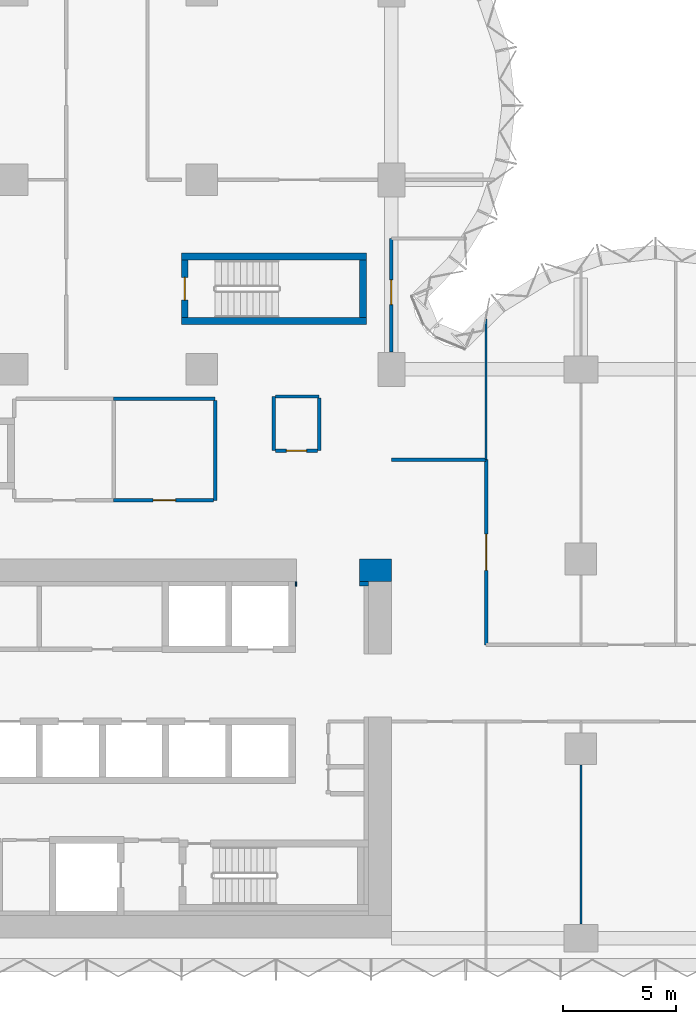
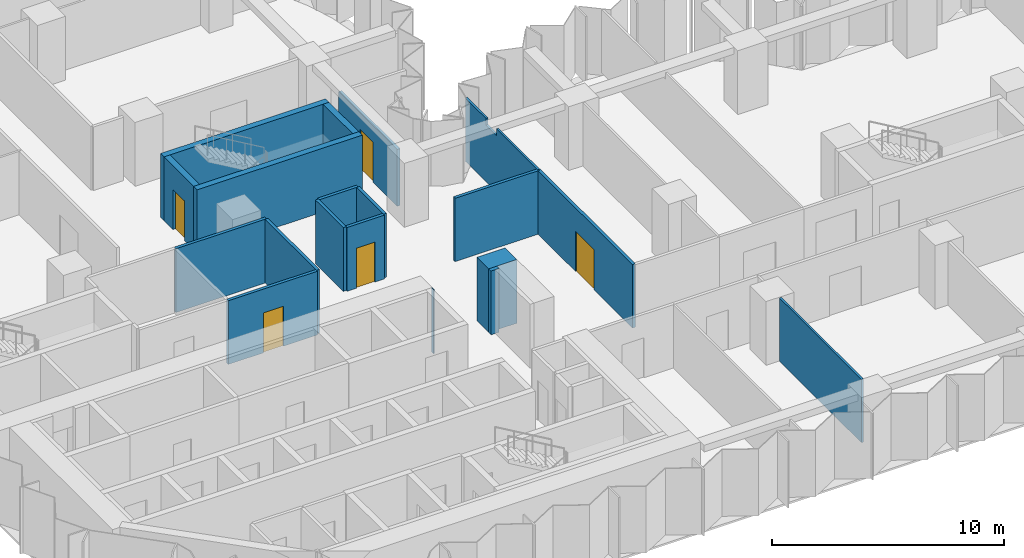
# One storey, part 9 of 15: 19 walls, 5 doors, 5 openings.
"""IFC4 building model written with IfcOpenShell, lengths in metres."""

from ifc_helpers import new_model, si_unit, direction, frame, frame_2d, origin, place, context, subcontext, project, spatial, polyline, rectangle, outline, extrude, material, layer, layer_set, type_object, element, fill, save


model = new_model("IFC4")

# Units and contexts
model_context = context("Model", 3, precision=1e-05, world=origin(), true_north=direction((0.0, 1.0)))
body_context = subcontext(model_context, "Body", "Model", "MODEL_VIEW")
ifc_project = project(units=[si_unit("LENGTHUNIT", "METRE"), si_unit("AREAUNIT", "SQUARE_METRE"), si_unit("VOLUMEUNIT", "CUBIC_METRE"), si_unit("PLANEANGLEUNIT", "RADIAN"), si_unit("MASSUNIT", "GRAM", prefix="KILO")], contexts=[model_context])

# Site, building, storey
site_placement = place(None, origin())
site = spatial("IfcSite", under=ifc_project, at=site_placement, CompositionType="ELEMENT")
building_placement = place(site_placement, origin())
building = spatial("IfcBuilding", under=site, at=building_placement, Name="Brevane Broadcast Tower", CompositionType="ELEMENT")
storey_placement = place(building_placement, frame((0.0, 0.0, 65.300048828125)))
storey = spatial("IfcBuildingStorey", under=building, at=storey_placement, Name="L14", CompositionType="ELEMENT", Elevation=65.300048828125)

# Walls
ifc_material_1 = material(Name="Concrete C32/40", Category="concrete")
ifc_layer_1 = layer(ifc_material_1, 0.199951171875)
ifc_layer_set_1 = layer_set([ifc_layer_1], Name="Core chase wall 200 mm")
wall_type_1 = type_object("IfcWallType", Name="Core chase wall 200 mm", PredefinedType="PARTITIONING", material=ifc_layer_set_1)
wall_1_placement = place(storey_placement, frame((23.800048828125, 15.699951171875, 0.0), z_axis=(0.0, 0.0, 1.0), x_axis=(1.0, 0.0, 0.0)))
element("IfcWall", 1, at=wall_1_placement, inside=storey, type_object=wall_type_1, Name="L14 chase wall LN2", PredefinedType="PARTITIONING", context=body_context, shape_type="SweptSolid", body=[
    extrude(rectangle(XDim=0.39990234375, YDim=0.199951171875, at=frame_2d((0.199951171875, 0.0))), origin(), (0.0, 0.0, 1.0), 3.349853515625),
])
wall_2_placement = place(storey_placement, frame((20.949951171875, 15.699951171875, 0.0), z_axis=(0.0, 0.0, 1.0), x_axis=(1.0, 0.0, 0.0)))
element("IfcWall", 2, at=wall_2_placement, inside=storey, type_object=wall_type_1, Name="L14 chase wall LN1-2-2-2-2", PredefinedType="PARTITIONING", context=body_context, shape_type="SweptSolid", body=[
    extrude(rectangle(XDim=0.050048828125, YDim=0.199951171875, at=frame_2d((0.02490234375, 0.0))), origin(), (0.0, 0.0, 1.0), 3.349853515625),
])
ifc_material_2 = material(Name="Gypsum board on steel studs", Category="steel")
ifc_layer_2 = layer(ifc_material_2, 0.14990234375)
ifc_layer_set_2 = layer_set([ifc_layer_2], Name="Core fire partition 150 mm")
wall_type_2 = type_object("IfcWallType", Name="Core fire partition 150 mm", PredefinedType="PARTITIONING", material=ifc_layer_set_2)
wall_3_placement = place(storey_placement, frame((12.89990234375, 23.89990234375, 0.0), z_axis=(0.0, 0.0, 1.0), x_axis=(1.0, 0.0, 0.0)))
element("IfcWall", 3, at=wall_3_placement, inside=storey, type_object=wall_type_2, Name="L14 partition wall P19", PredefinedType="PARTITIONING", context=body_context, shape_type="SweptSolid", body=[
    extrude(rectangle(XDim=4.5, YDim=0.14990234375, at=frame_2d((2.25, 0.0))), origin(), (0.0, 0.0, 1.0), 3.349853515625),
])
wall_4_placement = place(storey_placement, frame((17.39990234375, 23.824951171875, 0.0), z_axis=(0.0, 0.0, 1.0), x_axis=(0.0, -1.0, 0.0)))
element("IfcWall", 4, at=wall_4_placement, inside=storey, type_object=wall_type_2, Name="L14 partition wall P20", PredefinedType="PARTITIONING", context=body_context, shape_type="SweptSolid", body=[
    extrude(rectangle(XDim=4.425048828125, YDim=0.14990234375, at=frame_2d((2.21240234375, 0.0))), origin(), (0.0, 0.0, 1.0), 3.349853515625),
])

# Wall, opening, door
wall_5_placement = place(storey_placement, frame((17.324951171875, 19.39990234375, 0.0), z_axis=(0.0, 0.0, 1.0), x_axis=(-1.0, 0.0, 0.0)))
wall_5 = element("IfcWall", 5, at=wall_5_placement, inside=storey, type_object=wall_type_2, Name="L14 partition wall P21", PredefinedType="PARTITIONING", context=body_context, shape_type="SweptSolid", body=[
    extrude(rectangle(XDim=4.425048828125, YDim=0.14990234375, at=frame_2d((2.21240234375, 0.0))), origin(), (0.0, 0.0, 1.0), 3.349853515625),
])
opening_1_placement = place(wall_5_placement, frame((1.675048828125, 0.0, 0.0)))
opening_1 = element("IfcOpeningElement", 6, at=opening_1_placement, cuts=wall_5, Name="Opening L14-K26", PredefinedType="OPENING", context=body_context, shape_type="SweptSolid", body=[
    extrude(rectangle(XDim=1.0, YDim=2.10009765625, at=frame_2d((0.5, 1.050048828125))), frame((0.0, 0.0849609375, 0.0), z_axis=(0.0, -1.0, 0.0), x_axis=(1.0, 0.0, 0.0)), (0.0, 0.0, 1.0), 0.169921875),
])
ifc_material_3 = material(Name="Steel", Category="steel")
door_type_1 = type_object("IfcDoorType", Name="Service room door 1000 x 2100", OperationType="SINGLE_SWING_LEFT", PredefinedType="DOOR", material=ifc_material_3)
door_1_placement = place(opening_1_placement, origin())
door_1 = element("IfcDoor", 7, at=door_1_placement, inside=storey, type_object=door_type_1, Name="Door L14-K26", OperationType="SINGLE_SWING_LEFT", OverallHeight=2.10009765625, OverallWidth=1.0, PredefinedType="DOOR", context=body_context, shape_type="SweptSolid", body=[
    extrude(rectangle(XDim=1.0, YDim=2.10009765625, at=frame_2d((0.5, 1.050048828125))), frame((0.0, 0.02490234375, 0.0), z_axis=(0.0, -1.0, 0.0), x_axis=(1.0, 0.0, 0.0)), (0.0, 0.0, 1.0), 0.050048828125),
])
fill(opening_1, door_1)

# Walls
wall_6_placement = place(storey_placement, frame((20.0, 21.60009765625, 0.0), z_axis=(0.0, 0.0, 1.0), x_axis=(0.0, 1.0, 0.0)))
element("IfcWall", 8, at=wall_6_placement, inside=storey, type_object=wall_type_2, Name="L14 partition wall P25", PredefinedType="PARTITIONING", context=body_context, shape_type="SweptSolid", body=[
    extrude(rectangle(XDim=2.39990234375, YDim=0.14990234375, at=frame_2d((1.199951171875, 0.0))), origin(), (0.0, 0.0, 1.0), 3.349853515625),
])
wall_7_placement = place(storey_placement, frame((20.074951171875, 24.0, 0.0), z_axis=(0.0, 0.0, 1.0), x_axis=(1.0, 0.0, 0.0)))
element("IfcWall", 9, at=wall_7_placement, inside=storey, type_object=wall_type_2, Name="L14 partition wall P26", PredefinedType="PARTITIONING", context=body_context, shape_type="SweptSolid", body=[
    extrude(rectangle(XDim=1.925048828125, YDim=0.14990234375, at=frame_2d((0.96240234375, 0.0))), origin(), (0.0, 0.0, 1.0), 3.349853515625),
])
wall_8_placement = place(storey_placement, frame((22.0, 23.925048828125, 0.0), z_axis=(0.0, 0.0, 1.0), x_axis=(0.0, -1.0, 0.0)))
element("IfcWall", 10, at=wall_8_placement, inside=storey, type_object=wall_type_2, Name="L14 partition wall P27", PredefinedType="PARTITIONING", context=body_context, shape_type="SweptSolid", body=[
    extrude(rectangle(XDim=2.324951171875, YDim=0.14990234375, at=frame_2d((1.16259765625, 0.0))), origin(), (0.0, 0.0, 1.0), 3.349853515625),
])

# Wall, opening, door
wall_9_placement = place(storey_placement, frame((21.925048828125, 21.60009765625, 0.0), z_axis=(0.0, 0.0, 1.0), x_axis=(-1.0, 0.0, 0.0)))
wall_9 = element("IfcWall", 11, at=wall_9_placement, inside=storey, type_object=wall_type_2, Name="L14 partition wall P28", PredefinedType="PARTITIONING", context=body_context, shape_type="SweptSolid", body=[
    extrude(rectangle(XDim=1.85009765625, YDim=0.14990234375, at=frame_2d((0.925048828125, 0.0))), origin(), (0.0, 0.0, 1.0), 3.349853515625),
])
opening_2_placement = place(wall_9_placement, frame((0.47509765625, 0.0, 0.0)))
opening_2 = element("IfcOpeningElement", 12, at=opening_2_placement, cuts=wall_9, Name="Opening L14-K24", PredefinedType="OPENING", context=body_context, shape_type="SweptSolid", body=[
    extrude(rectangle(XDim=0.89990234375, YDim=2.10009765625, at=frame_2d((0.449951171875, 1.050048828125))), frame((0.0, 0.0849609375, 0.0), z_axis=(0.0, -1.0, 0.0), x_axis=(1.0, 0.0, 0.0)), (0.0, 0.0, 1.0), 0.169921875),
])
ifc_material_4 = material(Name="Timber", Category="wood")
door_type_2 = type_object("IfcDoorType", Name="Toilet door 900 x 2100", OperationType="SINGLE_SWING_LEFT", PredefinedType="DOOR", material=ifc_material_4)
door_2_placement = place(opening_2_placement, origin())
door_2 = element("IfcDoor", 13, at=door_2_placement, inside=storey, type_object=door_type_2, Name="Door L14-K24", OperationType="SINGLE_SWING_LEFT", OverallHeight=2.10009765625, OverallWidth=0.89990234375, PredefinedType="DOOR", context=body_context, shape_type="SweptSolid", body=[
    extrude(rectangle(XDim=0.89990234375, YDim=2.10009765625, at=frame_2d((0.449951171875, 1.050048828125))), frame((0.0, 0.02490234375, 0.0), z_axis=(0.0, -1.0, 0.0), x_axis=(1.0, 0.0, 0.0)), (0.0, 0.0, 1.0), 0.050048828125),
])
fill(opening_2, door_2)

# Walls
ifc_material_5 = material(Name="Concrete C80/95", Category="concrete")
ifc_layer_3 = layer(ifc_material_5, 1.0)
ifc_layer_set_3 = layer_set([ifc_layer_3], Name="Core wall 1000 mm C80/95")
wall_type_3 = type_object("IfcWallType", Name="Core wall 1000 mm C80/95", PredefinedType="SHEAR", material=ifc_layer_set_3)
wall_10_placement = place(storey_placement, frame((23.800048828125, 16.300048828125, 0.0), z_axis=(0.0, 0.0, 1.0), x_axis=(1.0, 0.0, 0.0)))
element("IfcWall", 14, at=wall_10_placement, inside=storey, type_object=wall_type_3, Name="L14 outer wall WN2", PredefinedType="SHEAR", context=body_context, shape_type="SweptSolid", body=[
    extrude(rectangle(XDim=1.39990234375, YDim=1.0, at=frame_2d((0.699951171875, 0.0))), origin(), (0.0, 0.0, 1.0), 3.349853515625),
])
ifc_layer_4 = layer(ifc_material_5, 0.300048828125)
ifc_layer_set_4 = layer_set([ifc_layer_4], Name="Core wall 300 mm C80/95")
wall_type_4 = type_object("IfcWallType", Name="Core wall 300 mm C80/95", PredefinedType="SHEAR", material=ifc_layer_set_4)
for number, where, z_axis, x_axis, name in (
    (15, (15.89990234375, 27.35009765625, 0.0), (0.0, 0.0, 1.0), (1.0, 0.0, 0.0), "L14 stair wall ST-3-S"),
    (16, (15.89990234375, 30.199951171875, 0.0), (0.0, 0.0, 1.0), (1.0, 0.0, 0.0), "L14 stair wall ST-3-N"),
):
    element("IfcWall", number, at=place(storey_placement, frame(where, z_axis=z_axis, x_axis=x_axis)), inside=storey, type_object=wall_type_4, Name=name, PredefinedType="SHEAR", context=body_context, shape_type="SweptSolid", body=[
        extrude(rectangle(XDim=8.2001953125, YDim=0.300048828125, at=frame_2d((4.10009765625, 0.0))), origin(), (0.0, 0.0, 1.0), 3.349853515625),
    ])

# Wall, opening, door
wall_11_placement = place(storey_placement, frame((16.050048828125, 27.5, 0.0), z_axis=(0.0, 0.0, 1.0), x_axis=(0.0, 1.0, 0.0)))
wall_11 = element("IfcWall", 17, at=wall_11_placement, inside=storey, type_object=wall_type_4, Name="L14 stair wall ST-3-W", PredefinedType="SHEAR", context=body_context, shape_type="SweptSolid", body=[
    extrude(rectangle(XDim=2.550048828125, YDim=0.300048828125, at=frame_2d((1.27490234375, 0.0))), origin(), (0.0, 0.0, 1.0), 3.349853515625),
])
opening_3_placement = place(wall_11_placement, frame((0.77490234375, 0.0, 0.0)))
opening_3 = element("IfcOpeningElement", 18, at=opening_3_placement, cuts=wall_11, Name="Opening L14-K14", PredefinedType="OPENING", context=body_context, shape_type="SweptSolid", body=[
    extrude(rectangle(XDim=1.0, YDim=2.10009765625, at=frame_2d((0.5, 1.050048828125))), frame((0.0, 0.159912109375, 0.0), z_axis=(0.0, -1.0, 0.0), x_axis=(1.0, 0.0, 0.0)), (0.0, 0.0, 1.0), 0.320068359375),
])
door_type_3 = type_object("IfcDoorType", Name="Stair door 1000 x 2100", OperationType="SINGLE_SWING_LEFT", PredefinedType="DOOR", material=ifc_material_3)
door_3_placement = place(opening_3_placement, origin())
door_3 = element("IfcDoor", 19, at=door_3_placement, inside=storey, type_object=door_type_3, Name="Door L14-K14", OperationType="SINGLE_SWING_LEFT", OverallHeight=2.10009765625, OverallWidth=1.0, PredefinedType="DOOR", context=body_context, shape_type="SweptSolid", body=[
    extrude(rectangle(XDim=1.0, YDim=2.10009765625, at=frame_2d((0.5, 1.050048828125))), frame((0.0, 0.02490234375, 0.0), z_axis=(0.0, -1.0, 0.0), x_axis=(1.0, 0.0, 0.0)), (0.0, 0.0, 1.0), 0.050048828125),
])
fill(opening_3, door_3)

# Walls
wall_12_placement = place(storey_placement, frame((23.949951171875, 27.5, 0.0), z_axis=(0.0, 0.0, 1.0), x_axis=(0.0, 1.0, 0.0)))
element("IfcWall", 20, at=wall_12_placement, inside=storey, type_object=wall_type_4, Name="L14 stair wall ST-3-E", PredefinedType="SHEAR", context=body_context, shape_type="SweptSolid", body=[
    extrude(rectangle(XDim=2.550048828125, YDim=0.300048828125, at=frame_2d((1.27490234375, 0.0))), origin(), (0.0, 0.0, 1.0), 3.349853515625),
])
ifc_material_6 = material(Name="Gypsum board partition")
ifc_layer_5 = layer(ifc_material_6, 0.10009765625)
ifc_layer_set_5 = layer_set([ifc_layer_5], Name="PARTITION 100 STUD")
wall_type_5 = type_object("IfcWallType", Name="PARTITION 100 STUD", PredefinedType="PARTITIONING", material=ifc_layer_set_5)
wall_13_placement = place(storey_placement, frame((29.39990234375, 27.428955078125, 0.0), z_axis=(0.0, 0.0, 1.0), x_axis=(0.0, -1.0, 0.0)))
element("IfcWall", 21, at=wall_13_placement, inside=storey, type_object=wall_type_5, Name="Partition G03-004", PredefinedType="PARTITIONING", context=body_context, shape_type="SweptSolid", body=[
    extrude(outline(polyline([(0.0, 0.0), (6.22900390625, 0.0), (6.22900390625, 3.329833984375), (2.678955078125, 3.329833984375), (2.677001953125, 2.97998046875), (1.781005859375, 2.97998046875), (1.779052734375, 3.329833984375), (0.154052734375, 3.329833984375), (0.0, 3.329833984375), (0.0, 0.0)])), frame((0.0, 0.050048828125, 0.0), z_axis=(0.0, -1.0, 0.0), x_axis=(1.0, 0.0, 0.0)), (0.0, 0.0, 1.0), 0.10009765625),
])
wall_14_placement = place(storey_placement, frame((33.60009765625, 7.679931640625, 0.0), z_axis=(0.0, 0.0, 1.0), x_axis=(0.0, -1.0, 0.0)))
element("IfcWall", 22, at=wall_14_placement, inside=storey, type_object=wall_type_5, Name="Partition G03-022", PredefinedType="PARTITIONING", context=body_context, shape_type="SweptSolid", body=[
    extrude(rectangle(XDim=7.059814453125, YDim=0.10009765625, at=frame_2d((3.52978515625, 0.0))), origin(), (0.0, 0.0, 1.0), 3.329833984375),
])
ifc_layer_6 = layer(ifc_material_6, 0.14990234375)
ifc_layer_set_6 = layer_set([ifc_layer_6], Name="PARTITION 150 EI 60")
wall_type_6 = type_object("IfcWallType", Name="PARTITION 150 EI 60", PredefinedType="PARTITIONING", material=ifc_layer_set_6)
wall_15_placement = place(storey_placement, frame((25.199951171875, 21.199951171875, 0.0), z_axis=(0.0, 0.0, 1.0), x_axis=(1.0, 0.0, 0.0)))
element("IfcWall", 23, at=wall_15_placement, inside=storey, type_object=wall_type_6, Name="Partition G03-001", PredefinedType="PARTITIONING", context=body_context, shape_type="SweptSolid", body=[
    extrude(rectangle(XDim=4.199951171875, YDim=0.14990234375, at=frame_2d((2.10009765625, 0.0))), origin(), (0.0, 0.0, 1.0), 3.329833984375),
])

# Wall, opening, door
wall_16_placement = place(storey_placement, frame((29.39990234375, 21.199951171875, 0.0), z_axis=(0.0, 0.0, 1.0), x_axis=(0.0, -1.0, 0.0)))
wall_16 = element("IfcWall", 24, at=wall_16_placement, inside=storey, type_object=wall_type_6, Name="Partition G03-003", PredefinedType="PARTITIONING", context=body_context, shape_type="SweptSolid", body=[
    extrude(rectangle(XDim=8.199951171875, YDim=0.14990234375, at=frame_2d((4.10009765625, 0.0))), origin(), (0.0, 0.0, 1.0), 3.329833984375),
])
opening_4_placement = place(wall_16_placement, frame((3.300048828125, 0.0, 0.0)))
opening_4 = element("IfcOpeningElement", 25, at=opening_4_placement, cuts=wall_16, Name="Opening D09-010", PredefinedType="OPENING", context=body_context, shape_type="SweptSolid", body=[
    extrude(rectangle(XDim=1.60009765625, YDim=2.10009765625, at=frame_2d((0.800048828125, 1.050048828125))), frame((0.0, 0.0849609375, 0.0), z_axis=(0.0, -1.0, 0.0), x_axis=(1.0, 0.0, 0.0)), (0.0, 0.0, 1.0), 0.169921875),
])
ifc_material_7 = material(Name="Fire-rated timber door leaf", Category="wood")
door_type_4 = type_object("IfcDoorType", Name="DOOR DOUBLE 1600 FD30S", OperationType="DOUBLE_DOOR_SINGLE_SWING", PredefinedType="DOOR", material=ifc_material_7)
door_4_placement = place(opening_4_placement, origin())
door_4 = element("IfcDoor", 26, at=door_4_placement, inside=storey, type_object=door_type_4, Name="Door D09-010", OperationType="DOUBLE_DOOR_SINGLE_SWING", OverallHeight=2.10009765625, OverallWidth=1.60009765625, PredefinedType="DOOR", context=body_context, shape_type="SweptSolid", body=[
    extrude(rectangle(XDim=1.60009765625, YDim=2.10009765625, at=frame_2d((0.800048828125, 1.050048828125))), frame((0.0, 0.02490234375, 0.0), z_axis=(0.0, -1.0, 0.0), x_axis=(1.0, 0.0, 0.0)), (0.0, 0.0, 1.0), 0.050048828125),
])
fill(opening_4, door_4)

wall_17_placement = place(storey_placement, frame((25.199951171875, 31.0, 0.0), z_axis=(0.0, 0.0, 1.0), x_axis=(0.0, -1.0, 0.0)))
wall_17 = element("IfcWall", 27, at=wall_17_placement, inside=storey, type_object=wall_type_6, Name="Partition G03-005", PredefinedType="PARTITIONING", context=body_context, shape_type="SweptSolid", body=[
    extrude(outline(polyline([(0.0, 0.0), (5.030029296875, 0.0), (5.030029296875, 2.97998046875), (0.0, 2.97998046875), (0.0, 0.0)])), frame((0.0, 0.074951171875, 0.0), z_axis=(0.0, -1.0, 0.0), x_axis=(1.0, 0.0, 0.0)), (0.0, 0.0, 1.0), 0.14990234375),
])
opening_5_placement = place(wall_17_placement, frame((1.830078125, 0.0, 0.0)))
opening_5 = element("IfcOpeningElement", 28, at=opening_5_placement, cuts=wall_17, Name="Opening D09-001", PredefinedType="OPENING", context=body_context, shape_type="SweptSolid", body=[
    extrude(rectangle(XDim=1.10009765625, YDim=2.10009765625, at=frame_2d((0.550048828125, 1.050048828125))), frame((0.0, 0.0849609375, 0.0), z_axis=(0.0, -1.0, 0.0), x_axis=(1.0, 0.0, 0.0)), (0.0, 0.0, 1.0), 0.169921875),
])
door_type_5 = type_object("IfcDoorType", Name="DOOR SINGLE 1100 FD30S", OperationType="SINGLE_SWING_LEFT", PredefinedType="DOOR", material=ifc_material_7)
door_5_placement = place(opening_5_placement, origin())
door_5 = element("IfcDoor", 29, at=door_5_placement, inside=storey, type_object=door_type_5, Name="Door D09-001", OperationType="SINGLE_SWING_RIGHT", OverallHeight=2.10009765625, OverallWidth=1.10009765625, PredefinedType="DOOR", context=body_context, shape_type="SweptSolid", body=[
    extrude(rectangle(XDim=1.10009765625, YDim=2.10009765625, at=frame_2d((0.550048828125, 1.050048828125))), frame((0.0, 0.02490234375, 0.0), z_axis=(0.0, -1.0, 0.0), x_axis=(1.0, 0.0, 0.0)), (0.0, 0.0, 1.0), 0.050048828125),
])
fill(opening_5, door_5)

save(model, "model.ifc")
